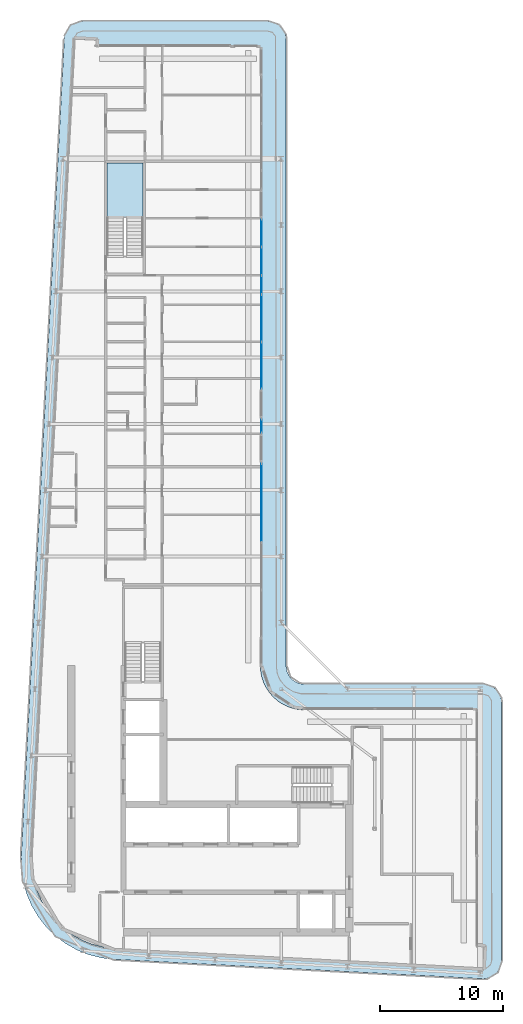
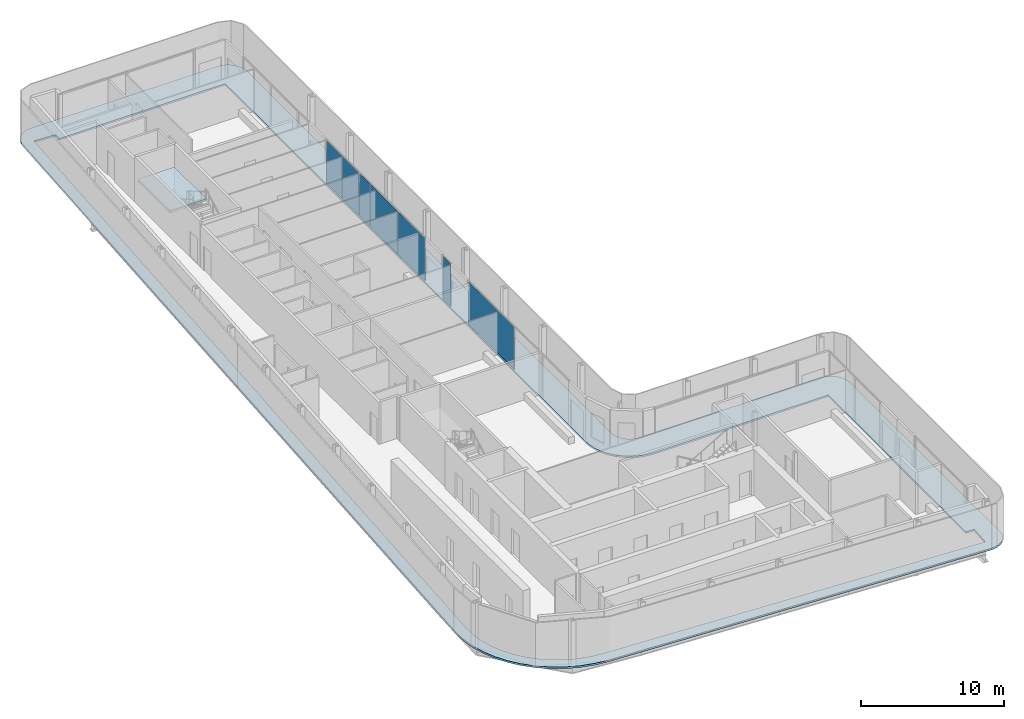
# One storey, part 10 of 21: 7 plates, 2 slabs, 5 elements without a shape of their own.
"""IFC4 building model written with IfcOpenShell, lengths in metres."""

from ifc_helpers import new_model, si_unit, direction, frame, origin, origin_2d, place, context, subcontext, project, spatial, polyline, rectangle, outline, extrude, material, layer, layer_set, type_object, element, aggregate, save


model = new_model("IFC4")

# Units and contexts
model_context = context("Model", 3, precision=1e-05, world=origin(), true_north=direction((0.0, 1.0)))
body_context = subcontext(model_context, "Body", "Model", "MODEL_VIEW")
ifc_project = project(units=[si_unit("LENGTHUNIT", "METRE"), si_unit("AREAUNIT", "SQUARE_METRE"), si_unit("VOLUMEUNIT", "CUBIC_METRE"), si_unit("PLANEANGLEUNIT", "RADIAN"), si_unit("MASSUNIT", "GRAM", prefix="KILO")], contexts=[model_context])

# Site, building, storey
site_placement = place(None, origin())
site = spatial("IfcSite", under=ifc_project, at=site_placement, CompositionType="ELEMENT")
building_placement = place(site_placement, origin())
building = spatial("IfcBuilding", under=site, at=building_placement, Name="Kheshtan School and Residences Tower", CompositionType="ELEMENT")
storey_placement = place(building_placement, frame((0.0, 0.0, 278.60009765625)))
storey = spatial("IfcBuildingStorey", under=building, at=storey_placement, Name="L65", CompositionType="ELEMENT", Elevation=278.60009765625)

# Curtain wall, plates
ifc_material_1 = material(Name="Clear low-e glass in thermally broken aluminium frame", Category="aluminium")
ifc_layer_1 = layer(ifc_material_1, 0.199951171875)
ifc_layer_set_1 = layer_set([ifc_layer_1], Name="Curtain wall CW-L")
curtain_wall_type = type_object("IfcCurtainWallType", Name="Curtain wall CW-L", PredefinedType="NOTDEFINED", material=ifc_layer_set_1)
curtain_wall_1_placement = place(storey_placement, origin())
curtain_wall_1 = element("IfcCurtainWall", 1, at=curtain_wall_1_placement, inside=storey, type_object=curtain_wall_type, Name="Curtain wall CWL8b", PredefinedType="NOTDEFINED")
ifc_layer_2 = layer(ifc_material_1, 0.031982421875)
ifc_layer_set_2 = layer_set([ifc_layer_2], Name="CW-L glass panel")
plate_type = type_object("IfcPlateType", Name="CW-L glass panel", PredefinedType="CURTAIN_PANEL", material=ifc_layer_set_2)
plate_1_placement = place(storey_placement, frame((46.0, 82.75048828125, 0.0), z_axis=(0.0, 0.0, 1.0), x_axis=(0.0, -1.0, 0.0)))
plate_1 = element("IfcPlate", 2, at=plate_1_placement, type_object=plate_type, Name="CWL8b panel 1.1", PredefinedType="CURTAIN_PANEL", context=body_context, shape_type="SweptSolid", body=[
    extrude(rectangle(XDim=2.19091796875, YDim=0.031982421875, at=origin_2d()), origin(), (0.0, 0.0, 1.0), 3.6298828125),
])
plate_2_placement = place(storey_placement, frame((46.0, 80.46240234375, 0.0), z_axis=(0.0, 0.0, 1.0), x_axis=(0.0, -1.0, 0.0)))
plate_2 = element("IfcPlate", 3, at=plate_2_placement, type_object=plate_type, Name="CWL8b panel 2.1", PredefinedType="CURTAIN_PANEL", context=body_context, shape_type="SweptSolid", body=[
    extrude(rectangle(XDim=2.264892578125, YDim=0.031982421875, at=origin_2d()), origin(), (0.0, 0.0, 1.0), 3.6298828125),
])
plate_3_placement = place(storey_placement, frame((46.0, 78.52099609375, 0.0), z_axis=(0.0, 0.0, 1.0), x_axis=(0.0, -1.0, 0.0)))
plate_3 = element("IfcPlate", 4, at=plate_3_placement, type_object=plate_type, Name="CWL8b panel 3.1", PredefinedType="CURTAIN_PANEL", context=body_context, shape_type="SweptSolid", body=[
    extrude(rectangle(XDim=1.498046875, YDim=0.031982421875, at=origin_2d()), origin(), (0.0, 0.0, 1.0), 3.6298828125),
])
aggregate(curtain_wall_1, [plate_1, plate_2, plate_3])

curtain_wall_2_placement = place(storey_placement, origin())
curtain_wall_2 = element("IfcCurtainWall", 5, at=curtain_wall_2_placement, inside=storey, type_object=curtain_wall_type, Name="Curtain wall CWL8", PredefinedType="NOTDEFINED")
plate_4_placement = place(storey_placement, frame((46.0, 75.803466796875, 0.0), z_axis=(0.0, 0.0, 1.0), x_axis=(0.0, -1.0, 0.0)))
plate_4 = element("IfcPlate", 6, at=plate_4_placement, type_object=plate_type, Name="CWL8 panel 1.1", PredefinedType="CURTAIN_PANEL", context=body_context, shape_type="SweptSolid", body=[
    extrude(rectangle(XDim=3.81689453125, YDim=0.031982421875, at=origin_2d()), origin(), (0.0, 0.0, 1.0), 3.6298828125),
])
plate_5_placement = place(storey_placement, frame((46.0, 71.95654296875, 0.0), z_axis=(0.0, 0.0, 1.0), x_axis=(0.0, -1.0, 0.0)))
plate_5 = element("IfcPlate", 7, at=plate_5_placement, type_object=plate_type, Name="CWL8 panel 2.1", PredefinedType="CURTAIN_PANEL", context=body_context, shape_type="SweptSolid", body=[
    extrude(rectangle(XDim=3.757080078125, YDim=0.031982421875, at=origin_2d()), origin(), (0.0, 0.0, 1.0), 3.6298828125),
])
aggregate(curtain_wall_2, [plate_4, plate_5])

# Curtain wall, plate
curtain_wall_3_placement = place(storey_placement, origin())
curtain_wall_3 = element("IfcCurtainWall", 8, at=curtain_wall_3_placement, inside=storey, type_object=curtain_wall_type, Name="Curtain wall CWL8g", PredefinedType="NOTDEFINED")
plate_6_placement = place(storey_placement, frame((46.0, 67.01806640625, 0.0), z_axis=(0.0, 0.0, 1.0), x_axis=(0.0, -1.0, 0.0)))
plate_6 = element("IfcPlate", 9, at=plate_6_placement, type_object=plate_type, Name="CWL8g panel 1.1", PredefinedType="CURTAIN_PANEL", context=body_context, shape_type="SweptSolid", body=[
    extrude(rectangle(XDim=1.080078125, YDim=0.031982421875, at=origin_2d()), origin(), (0.0, 0.0, 1.0), 3.6298828125),
])
aggregate(curtain_wall_3, [plate_6])

curtain_wall_4_placement = place(storey_placement, origin())
curtain_wall_4 = element("IfcCurtainWall", 10, at=curtain_wall_4_placement, inside=storey, type_object=curtain_wall_type, Name="Curtain wall CWL8h", PredefinedType="NOTDEFINED")
plate_7_placement = place(storey_placement, frame((46.0, 60.77099609375, 0.0), z_axis=(0.0, 0.0, 1.0), x_axis=(0.0, -1.0, 0.0)))
plate_7 = element("IfcPlate", 11, at=plate_7_placement, type_object=plate_type, Name="CWL8h panel 1.1", PredefinedType="CURTAIN_PANEL", context=body_context, shape_type="SweptSolid", body=[
    extrude(rectangle(XDim=6.3740234375, YDim=0.031982421875, at=origin_2d()), origin(), (0.0, 0.0, 1.0), 3.6298828125),
])
aggregate(curtain_wall_4, [plate_7])

# Slab
ifc_material_2 = material(Name="Concrete C40/50", Category="concrete")
ifc_layer_3 = layer(ifc_material_2, 0.14990234375)
ifc_layer_set_3 = layer_set([ifc_layer_3], Name="Loggia balcony slab 150 Concrete C40/50")
slab_type_1 = type_object("IfcSlabType", Name="Loggia balcony slab 150 Concrete C40/50", PredefinedType="FLOOR", material=ifc_layer_set_3)
slab_1_placement = place(storey_placement, frame((0.0, 0.0, -0.150146484375)))
element("IfcSlab", 12, at=slab_1_placement, inside=storey, type_object=slab_type_1, Name="Loggia balcony slab L65", PredefinedType="FLOOR", context=body_context, shape_type="SweptSolid", body=[
    extrude(outline(polyline([(28.455078125, 26.22607421875), (28.4541015625, 26.22607421875), (28.4541015625, 26.22705078125), (28.452880859375, 26.22705078125), (28.452880859375, 26.22802734375), (28.451904296875, 26.22802734375), (27.81494140625, 27.0390625), (27.281005859375, 27.93798828125), (26.867919921875, 28.89990234375), (26.583984375, 29.89599609375), (26.583984375, 29.906982421875), (26.43408203125, 30.943115234375), (26.419921875, 31.989013671875), (29.925048828125, 98.5791015625), (29.930908203125, 98.626953125), (29.930908203125, 98.6279296875), (29.929931640625, 98.6279296875), (29.929931640625, 98.62890625), (29.928955078125, 98.62890625), (29.928955078125, 98.6298828125), (29.927978515625, 98.6298828125), (29.927978515625, 98.631103515625), (29.927001953125, 98.631103515625), (29.927001953125, 98.632080078125), (29.927001953125, 98.633056640625), (29.945068359375, 98.781005859375), (29.945068359375, 98.783935546875), (29.945068359375, 98.784912109375), (29.946044921875, 98.784912109375), (29.946044921875, 98.785888671875), (29.947021484375, 98.785888671875), (29.947021484375, 98.787109375), (29.947998046875, 98.787109375), (29.948974609375, 98.787109375), (29.948974609375, 98.7880859375), (29.949951171875, 98.7880859375), (29.949951171875, 98.7890625), (29.949951171875, 98.794921875), (30.0029296875, 98.98388671875), (30.083984375, 99.175048828125), (30.18896484375, 99.35302734375), (30.306884765625, 99.5029296875), (30.30810546875, 99.5029296875), (30.30810546875, 99.50390625), (30.30908203125, 99.50390625), (30.30908203125, 99.5048828125), (30.31005859375, 99.5048828125), (30.31005859375, 99.506103515625), (30.31103515625, 99.506103515625), (30.31103515625, 99.507080078125), (30.31201171875, 99.507080078125), (30.31201171875, 99.508056640625), (30.31298828125, 99.508056640625), (30.31298828125, 99.509033203125), (30.31396484375, 99.509033203125), (30.31396484375, 99.510009765625), (30.31494140625, 99.510009765625), (30.31494140625, 99.510986328125), (30.31591796875, 99.510986328125), (30.31591796875, 99.511962890625), (30.31689453125, 99.511962890625), (30.31689453125, 99.512939453125), (30.318115234375, 99.512939453125), (30.323974609375, 99.512939453125), (30.324951171875, 99.512939453125), (30.324951171875, 99.513916015625), (30.468017578125, 99.656982421875), (30.468994140625, 99.656982421875), (30.468994140625, 99.657958984375), (30.469970703125, 99.657958984375), (30.469970703125, 99.658935546875), (30.470947265625, 99.658935546875), (30.470947265625, 99.659912109375), (30.471923828125, 99.659912109375), (30.471923828125, 99.660888671875), (30.472900390625, 99.660888671875), (30.472900390625, 99.662109375), (30.47412109375, 99.662109375), (30.47412109375, 99.6630859375), (30.47509765625, 99.6630859375), (30.47509765625, 99.6640625), (30.47607421875, 99.6640625), (30.47607421875, 99.6650390625), (30.47705078125, 99.6650390625), (30.47705078125, 99.666015625), (30.47802734375, 99.666015625), (30.47802734375, 99.6669921875), (30.47900390625, 99.6669921875), (30.47900390625, 99.66796875), (30.635986328125, 99.777099609375), (30.820068359375, 99.873046875), (31.0029296875, 99.943115234375), (31.013916015625, 99.943115234375), (31.217041015625, 99.986083984375), (31.423095703125, 100.0), (46.5, 100.0), (46.696044921875, 99.987060546875), (46.887939453125, 99.948974609375), (46.89892578125, 99.948974609375), (47.073974609375, 99.885986328125), (47.242919921875, 99.801025390625), (47.243896484375, 99.801025390625), (47.2470703125, 99.801025390625), (47.248046875, 99.801025390625), (47.248046875, 99.802001953125), (47.2490234375, 99.802001953125), (47.2490234375, 99.802978515625), (47.25, 99.802978515625), (47.2529296875, 99.802978515625), (47.25390625, 99.802978515625), (47.25390625, 99.802001953125), (47.2548828125, 99.802001953125), (47.2548828125, 99.801025390625), (47.256103515625, 99.801025390625), (47.256103515625, 99.800048828125), (47.257080078125, 99.800048828125), (47.257080078125, 99.799072265625), (47.258056640625, 99.799072265625), (47.258056640625, 99.798095703125), (47.412109375, 99.696044921875), (47.4130859375, 99.696044921875), (47.4130859375, 99.695068359375), (47.4140625, 99.695068359375), (47.4140625, 99.694091796875), (47.4140625, 99.68994140625), (47.4140625, 99.68896484375), (47.4150390625, 99.68896484375), (47.4150390625, 99.68798828125), (47.416015625, 99.68798828125), (47.416015625, 99.68701171875), (47.4169921875, 99.68701171875), (47.4169921875, 99.68603515625), (47.551025390625, 99.572021484375), (47.551025390625, 99.571044921875), (47.552001953125, 99.571044921875), (47.552001953125, 99.570068359375), (47.552978515625, 99.570068359375), (47.552978515625, 99.569091796875), (47.553955078125, 99.569091796875), (47.553955078125, 99.568115234375), (47.554931640625, 99.568115234375), (47.554931640625, 99.56689453125), (47.555908203125, 99.56689453125), (47.555908203125, 99.56591796875), (47.556884765625, 99.56591796875), (47.556884765625, 99.56494140625), (47.55810546875, 99.56494140625), (47.55810546875, 99.56396484375), (47.55908203125, 99.56396484375), (47.55908203125, 99.56298828125), (47.56005859375, 99.56298828125), (47.56005859375, 99.56201171875), (47.56103515625, 99.56201171875), (47.56201171875, 99.56103515625), (47.56201171875, 99.56005859375), (47.56298828125, 99.56005859375), (47.56298828125, 99.55908203125), (47.56396484375, 99.55908203125), (47.56396484375, 99.55810546875), (47.56494140625, 99.55810546875), (47.56494140625, 99.556884765625), (47.56591796875, 99.556884765625), (47.56591796875, 99.555908203125), (47.56689453125, 99.555908203125), (47.56689453125, 99.554931640625), (47.568115234375, 99.554931640625), (47.568115234375, 99.553955078125), (47.569091796875, 99.553955078125), (47.569091796875, 99.552978515625), (47.570068359375, 99.552978515625), (47.570068359375, 99.552001953125), (47.571044921875, 99.552001953125), (47.571044921875, 99.551025390625), (47.572021484375, 99.551025390625), (47.68505859375, 99.41796875), (47.68603515625, 99.41796875), (47.68603515625, 99.4169921875), (47.68701171875, 99.4169921875), (47.68701171875, 99.416015625), (47.68798828125, 99.416015625), (47.68798828125, 99.4150390625), (47.68896484375, 99.4150390625), (47.68896484375, 99.4140625), (47.68994140625, 99.4140625), (47.694091796875, 99.4140625), (47.695068359375, 99.4140625), (47.695068359375, 99.4130859375), (47.696044921875, 99.4130859375), (47.696044921875, 99.412109375), (47.797119140625, 99.259033203125), (47.798095703125, 99.259033203125), (47.798095703125, 99.258056640625), (47.799072265625, 99.258056640625), (47.799072265625, 99.257080078125), (47.800048828125, 99.257080078125), (47.800048828125, 99.256103515625), (47.801025390625, 99.256103515625), (47.801025390625, 99.2548828125), (47.802001953125, 99.2548828125), (47.802001953125, 99.25390625), (47.802978515625, 99.25390625), (47.802978515625, 99.2529296875), (47.802978515625, 99.25), (47.802978515625, 99.2490234375), (47.802001953125, 99.2490234375), (47.802001953125, 99.248046875), (47.801025390625, 99.248046875), (47.801025390625, 99.2470703125), (47.801025390625, 99.242919921875), (47.801025390625, 99.241943359375), (47.885986328125, 99.073974609375), (47.948974609375, 98.89892578125), (47.948974609375, 98.887939453125), (47.987060546875, 98.696044921875), (48.0, 98.5), (48.0, 47.5), (48.012939453125, 47.303955078125), (48.051025390625, 47.113037109375), (48.051025390625, 47.10302734375), (48.051025390625, 47.10205078125), (48.114013671875, 46.926025390625), (48.200927734375, 46.75), (48.31005859375, 46.5869140625), (48.427978515625, 46.447998046875), (48.428955078125, 46.447998046875), (48.428955078125, 46.447021484375), (48.429931640625, 46.447021484375), (48.429931640625, 46.446044921875), (48.430908203125, 46.446044921875), (48.430908203125, 46.445068359375), (48.431884765625, 46.445068359375), (48.431884765625, 46.444091796875), (48.43310546875, 46.444091796875), (48.43310546875, 46.443115234375), (48.43408203125, 46.443115234375), (48.43408203125, 46.44189453125), (48.43505859375, 46.44189453125), (48.43505859375, 46.44091796875), (48.43603515625, 46.44091796875), (48.43603515625, 46.43994140625), (48.43701171875, 46.43994140625), (48.43701171875, 46.43896484375), (48.43798828125, 46.43896484375), (48.43896484375, 46.43798828125), (48.43896484375, 46.43701171875), (48.43994140625, 46.43701171875), (48.43994140625, 46.43603515625), (48.44091796875, 46.43603515625), (48.44091796875, 46.43505859375), (48.44189453125, 46.43505859375), (48.44189453125, 46.43408203125), (48.443115234375, 46.43408203125), (48.443115234375, 46.43310546875), (48.444091796875, 46.43310546875), (48.444091796875, 46.431884765625), (48.445068359375, 46.431884765625), (48.445068359375, 46.430908203125), (48.446044921875, 46.430908203125), (48.446044921875, 46.429931640625), (48.447021484375, 46.429931640625), (48.447021484375, 46.428955078125), (48.447998046875, 46.428955078125), (48.447998046875, 46.427978515625), (48.5869140625, 46.31005859375), (48.75, 46.200927734375), (48.926025390625, 46.114013671875), (49.10205078125, 46.051025390625), (49.10302734375, 46.051025390625), (49.113037109375, 46.051025390625), (49.303955078125, 46.012939453125), (49.5, 46.0), (64.050048828125, 46.0), (64.24609375, 45.987060546875), (64.43798828125, 45.948974609375), (64.448974609375, 45.948974609375), (64.6240234375, 45.885986328125), (64.791015625, 45.801025390625), (64.7919921875, 45.801025390625), (64.797119140625, 45.801025390625), (64.798095703125, 45.801025390625), (64.798095703125, 45.802001953125), (64.799072265625, 45.802001953125), (64.799072265625, 45.802978515625), (64.800048828125, 45.802978515625), (64.802978515625, 45.802978515625), (64.803955078125, 45.802978515625), (64.803955078125, 45.802001953125), (64.804931640625, 45.802001953125), (64.804931640625, 45.801025390625), (64.805908203125, 45.801025390625), (64.805908203125, 45.800048828125), (64.806884765625, 45.800048828125), (64.806884765625, 45.799072265625), (64.80810546875, 45.799072265625), (64.80810546875, 45.798095703125), (64.80908203125, 45.798095703125), (64.80908203125, 45.797119140625), (64.81005859375, 45.797119140625), (64.81005859375, 45.7958984375), (64.9619140625, 45.696044921875), (64.962890625, 45.696044921875), (64.962890625, 45.695068359375), (64.964111328125, 45.695068359375), (64.964111328125, 45.694091796875), (64.964111328125, 45.68994140625), (64.964111328125, 45.68896484375), (64.965087890625, 45.68896484375), (64.965087890625, 45.68798828125), (64.966064453125, 45.68798828125), (64.966064453125, 45.68701171875), (64.967041015625, 45.68701171875), (64.967041015625, 45.68603515625), (64.968017578125, 45.68603515625), (64.968017578125, 45.68505859375), (64.968994140625, 45.68505859375), (64.968994140625, 45.68408203125), (65.10107421875, 45.572021484375), (65.10107421875, 45.571044921875), (65.10205078125, 45.571044921875), (65.10205078125, 45.570068359375), (65.10302734375, 45.570068359375), (65.10302734375, 45.569091796875), (65.10400390625, 45.569091796875), (65.10400390625, 45.568115234375), (65.10498046875, 45.568115234375), (65.10498046875, 45.56689453125), (65.10595703125, 45.56689453125), (65.10595703125, 45.56591796875), (65.10693359375, 45.56591796875), (65.10693359375, 45.56494140625), (65.10791015625, 45.56494140625), (65.10791015625, 45.56396484375), (65.10888671875, 45.56396484375), (65.10888671875, 45.56298828125), (65.110107421875, 45.56298828125), (65.110107421875, 45.56201171875), (65.111083984375, 45.56201171875), (65.112060546875, 45.56103515625), (65.112060546875, 45.56005859375), (65.113037109375, 45.56005859375), (65.113037109375, 45.55908203125), (65.114013671875, 45.55908203125), (65.114013671875, 45.55810546875), (65.114990234375, 45.55810546875), (65.114990234375, 45.556884765625), (65.115966796875, 45.556884765625), (65.115966796875, 45.555908203125), (65.116943359375, 45.555908203125), (65.116943359375, 45.554931640625), (65.117919921875, 45.554931640625), (65.117919921875, 45.553955078125), (65.118896484375, 45.553955078125), (65.118896484375, 45.552978515625), (65.1201171875, 45.552978515625), (65.1201171875, 45.552001953125), (65.12109375, 45.552001953125), (65.12109375, 45.551025390625), (65.1220703125, 45.551025390625), (65.22802734375, 45.425048828125), (65.22900390625, 45.425048828125), (65.22900390625, 45.424072265625), (65.22998046875, 45.424072265625), (65.22998046875, 45.423095703125), (65.23095703125, 45.423095703125), (65.23095703125, 45.422119140625), (65.23193359375, 45.422119140625), (65.23193359375, 45.4208984375), (65.23291015625, 45.4208984375), (65.23291015625, 45.419921875), (65.23388671875, 45.419921875), (65.23388671875, 45.4189453125), (65.235107421875, 45.4189453125), (65.235107421875, 45.41796875), (65.236083984375, 45.41796875), (65.236083984375, 45.4169921875), (65.237060546875, 45.4169921875), (65.237060546875, 45.416015625), (65.238037109375, 45.416015625), (65.238037109375, 45.4150390625), (65.239013671875, 45.4150390625), (65.239013671875, 45.4140625), (65.239990234375, 45.4140625), (65.243896484375, 45.4140625), (65.2451171875, 45.4140625), (65.2451171875, 45.4130859375), (65.24609375, 45.4130859375), (65.24609375, 45.412109375), (65.340087890625, 45.26611328125), (65.341064453125, 45.26611328125), (65.341064453125, 45.264892578125), (65.342041015625, 45.264892578125), (65.342041015625, 45.263916015625), (65.343017578125, 45.263916015625), (65.343017578125, 45.262939453125), (65.343994140625, 45.262939453125), (65.343994140625, 45.261962890625), (65.344970703125, 45.261962890625), (65.344970703125, 45.260986328125), (65.345947265625, 45.260986328125), (65.345947265625, 45.260009765625), (65.346923828125, 45.260009765625), (65.346923828125, 45.259033203125), (65.347900390625, 45.259033203125), (65.347900390625, 45.258056640625), (65.34912109375, 45.258056640625), (65.34912109375, 45.257080078125), (65.35009765625, 45.257080078125), (65.35009765625, 45.256103515625), (65.35107421875, 45.256103515625), (65.35107421875, 45.2548828125), (65.35205078125, 45.2548828125), (65.35205078125, 45.25390625), (65.35302734375, 45.25390625), (65.35302734375, 45.2529296875), (65.35302734375, 45.25), (65.35302734375, 45.2490234375), (65.35205078125, 45.2490234375), (65.35205078125, 45.248046875), (65.35107421875, 45.248046875), (65.35107421875, 45.2470703125), (65.35107421875, 45.237060546875), (65.35107421875, 45.236083984375), (65.43603515625, 45.073974609375), (65.4990234375, 44.89892578125), (65.4990234375, 44.887939453125), (65.537109375, 44.696044921875), (65.550048828125, 44.5), (65.550048828125, 23.4990234375), (65.535888671875, 23.297119140625), (65.4951171875, 23.09912109375), (65.4951171875, 23.087890625), (65.427978515625, 22.906982421875), (65.3359375, 22.72705078125), (65.23095703125, 22.571044921875), (65.22998046875, 22.571044921875), (65.22998046875, 22.570068359375), (65.22900390625, 22.570068359375), (65.22900390625, 22.569091796875), (65.22802734375, 22.569091796875), (65.22802734375, 22.568115234375), (65.22705078125, 22.568115234375), (65.22705078125, 22.56689453125), (65.22607421875, 22.56689453125), (65.22607421875, 22.56591796875), (65.22509765625, 22.56591796875), (65.22509765625, 22.56494140625), (65.22412109375, 22.56494140625), (65.22412109375, 22.56396484375), (65.222900390625, 22.56396484375), (65.222900390625, 22.56298828125), (65.221923828125, 22.56298828125), (65.221923828125, 22.56201171875), (65.220947265625, 22.56201171875), (65.220947265625, 22.56103515625), (65.220947265625, 22.55908203125), (65.220947265625, 22.55810546875), (65.221923828125, 22.55810546875), (65.221923828125, 22.556884765625), (65.221923828125, 22.554931640625), (65.221923828125, 22.553955078125), (65.220947265625, 22.553955078125), (65.220947265625, 22.552978515625), (65.089111328125, 22.416015625), (65.087890625, 22.416015625), (65.087890625, 22.4150390625), (65.087890625, 22.410888671875), (65.087890625, 22.409912109375), (65.0869140625, 22.409912109375), (65.0869140625, 22.408935546875), (65.0869140625, 22.407958984375), (65.0859375, 22.407958984375), (65.0859375, 22.406982421875), (65.0849609375, 22.406982421875), (65.0849609375, 22.406005859375), (65.083984375, 22.406005859375), (65.0830078125, 22.406005859375), (65.0830078125, 22.405029296875), (65.08203125, 22.405029296875), (65.08203125, 22.404052734375), (65.0810546875, 22.404052734375), (65.0810546875, 22.403076171875), (65.080078125, 22.403076171875), (65.080078125, 22.402099609375), (65.0791015625, 22.402099609375), (65.0791015625, 22.40087890625), (65.077880859375, 22.40087890625), (65.077880859375, 22.39990234375), (65.076904296875, 22.39990234375), (65.076904296875, 22.39892578125), (65.075927734375, 22.39892578125), (65.075927734375, 22.39794921875), (65.074951171875, 22.39794921875), (65.074951171875, 22.39697265625), (65.073974609375, 22.39697265625), (65.073974609375, 22.39599609375), (65.072998046875, 22.39599609375), (65.072998046875, 22.39501953125), (65.072021484375, 22.39501953125), (65.072021484375, 22.39404296875), (64.93310546875, 22.281982421875), (64.931884765625, 22.281982421875), (64.931884765625, 22.281005859375), (64.930908203125, 22.281005859375), (64.928955078125, 22.281005859375), (64.927978515625, 22.281005859375), (64.927978515625, 22.281982421875), (64.927001953125, 22.281982421875), (64.926025390625, 22.281982421875), (64.925048828125, 22.281982421875), (64.75390625, 22.175048828125), (64.569091796875, 22.092041015625), (64.385009765625, 22.034912109375), (64.3740234375, 22.034912109375), (64.174072265625, 22.0048828125), (63.970947265625, 22.001953125), (33.989013671875, 23.580078125), (33.94189453125, 23.5859375), (33.94091796875, 23.5859375), (33.93994140625, 23.5859375), (33.93994140625, 23.5849609375), (33.93896484375, 23.5849609375), (33.93896484375, 23.583984375), (33.93798828125, 23.583984375), (33.93798828125, 23.5830078125), (33.93701171875, 23.5830078125), (33.93701171875, 23.58203125), (33.93603515625, 23.58203125), (33.93505859375, 23.58203125), (32.952880859375, 23.697998046875), (32.949951171875, 23.697998046875), (32.948974609375, 23.697998046875), (32.948974609375, 23.698974609375), (32.947998046875, 23.698974609375), (32.947998046875, 23.699951171875), (32.947021484375, 23.699951171875), (32.947021484375, 23.700927734375), (32.947021484375, 23.702880859375), (32.947021484375, 23.7041015625), (32.946044921875, 23.7041015625), (32.946044921875, 23.705078125), (32.945068359375, 23.705078125), (32.944091796875, 23.705078125), (31.93603515625, 23.9609375), (31.925048828125, 23.9609375), (30.964111328125, 24.34912109375), (30.051025390625, 24.860107421875), (29.222900390625, 25.47509765625), (29.222900390625, 25.47607421875), (29.221923828125, 25.47607421875), (29.221923828125, 25.47705078125), (29.220947265625, 25.47705078125), (29.220947265625, 25.47802734375), (29.219970703125, 25.47802734375), (29.219970703125, 25.47900390625), (29.218994140625, 25.47900390625), (29.218994140625, 25.47998046875), (29.218017578125, 25.47998046875), (29.218017578125, 25.48095703125), (29.217041015625, 25.48095703125), (29.217041015625, 25.48193359375), (29.216064453125, 25.48193359375), (29.216064453125, 25.48291015625), (29.215087890625, 25.48291015625), (29.215087890625, 25.48388671875), (29.214111328125, 25.48388671875), (29.214111328125, 25.485107421875), (29.212890625, 25.485107421875), (29.212890625, 25.486083984375), (29.2119140625, 25.486083984375), (28.470947265625, 26.217041015625), (28.470947265625, 26.218017578125), (28.469970703125, 26.218017578125), (28.462890625, 26.218017578125), (28.4619140625, 26.218017578125), (28.4619140625, 26.218994140625), (28.4609375, 26.218994140625), (28.4609375, 26.219970703125), (28.4599609375, 26.219970703125), (28.4599609375, 26.220947265625), (28.458984375, 26.220947265625), (28.458984375, 26.221923828125), (28.4580078125, 26.221923828125), (28.4580078125, 26.222900390625), (28.45703125, 26.222900390625), (28.45703125, 26.22412109375), (28.4560546875, 26.22412109375), (28.4560546875, 26.22509765625), (28.455078125, 26.22509765625), (28.455078125, 26.22607421875)]), holes=[polyline([(29.125, 26.8291015625), (29.125, 26.827880859375), (29.1259765625, 26.827880859375), (29.1259765625, 26.826904296875), (29.126953125, 26.826904296875), (29.126953125, 26.825927734375), (29.1279296875, 26.825927734375), (29.1279296875, 26.824951171875), (29.12890625, 26.824951171875), (29.12890625, 26.823974609375), (29.1298828125, 26.823974609375), (29.1298828125, 26.822998046875), (29.131103515625, 26.822998046875), (29.131103515625, 26.822021484375), (29.132080078125, 26.822021484375), (29.132080078125, 26.821044921875), (29.133056640625, 26.821044921875), (29.133056640625, 26.820068359375), (29.134033203125, 26.820068359375), (29.7900390625, 26.173095703125), (29.7900390625, 26.172119140625), (29.791015625, 26.172119140625), (29.798095703125, 26.172119140625), (29.799072265625, 26.172119140625), (29.799072265625, 26.1708984375), (29.800048828125, 26.1708984375), (29.800048828125, 26.169921875), (29.801025390625, 26.169921875), (29.801025390625, 26.1689453125), (29.802001953125, 26.1689453125), (29.802001953125, 26.16796875), (29.802978515625, 26.16796875), (29.802978515625, 26.1669921875), (29.803955078125, 26.1669921875), (29.803955078125, 26.166015625), (29.804931640625, 26.166015625), (29.804931640625, 26.1650390625), (29.805908203125, 26.1650390625), (29.805908203125, 26.1640625), (29.806884765625, 26.1640625), (29.806884765625, 26.1630859375), (29.80810546875, 26.1630859375), (29.80810546875, 26.162109375), (30.541015625, 25.616943359375), (31.35205078125, 25.1630859375), (32.205078125, 24.819091796875), (32.2060546875, 24.819091796875), (32.216064453125, 24.819091796875), (33.114990234375, 24.590087890625), (34.06591796875, 24.47705078125), (63.988037109375, 22.902099609375), (64.014892578125, 22.903076171875), (64.01611328125, 22.903076171875), (64.01708984375, 22.903076171875), (64.01708984375, 22.904052734375), (64.01806640625, 22.904052734375), (64.01806640625, 22.905029296875), (64.01806640625, 22.906005859375), (64.10791015625, 24.594970703125), (64.10791015625, 24.595947265625), (64.10791015625, 24.596923828125), (64.10693359375, 24.596923828125), (64.10693359375, 24.597900390625), (64.10595703125, 24.597900390625), (64.10498046875, 24.597900390625), (63.450927734375, 24.633056640625), (63.449951171875, 24.633056640625), (63.449951171875, 24.634033203125), (63.449951171875, 43.89794921875), (63.449951171875, 43.89892578125), (63.448974609375, 43.89892578125), (63.448974609375, 43.89990234375), (63.447998046875, 43.89990234375), (49.429931640625, 43.89990234375), (49.030029296875, 43.927001953125), (48.569091796875, 44.01806640625), (48.55810546875, 44.01806640625), (48.1201171875, 44.169921875), (47.697021484375, 44.37890625), (47.30810546875, 44.638916015625), (46.9609375, 44.93994140625), (46.9609375, 44.94091796875), (46.9599609375, 44.94091796875), (46.9599609375, 44.94189453125), (46.958984375, 44.94189453125), (46.958984375, 44.943115234375), (46.9580078125, 44.943115234375), (46.9580078125, 44.944091796875), (46.95703125, 44.944091796875), (46.95703125, 44.945068359375), (46.9560546875, 44.945068359375), (46.9560546875, 44.946044921875), (46.955078125, 44.946044921875), (46.955078125, 44.947021484375), (46.9541015625, 44.947021484375), (46.9541015625, 44.947998046875), (46.952880859375, 44.947998046875), (46.952880859375, 44.948974609375), (46.951904296875, 44.948974609375), (46.951904296875, 44.949951171875), (46.951904296875, 44.950927734375), (46.950927734375, 44.950927734375), (46.950927734375, 44.951904296875), (46.949951171875, 44.951904296875), (46.948974609375, 44.951904296875), (46.948974609375, 44.952880859375), (46.947998046875, 44.952880859375), (46.947998046875, 44.9541015625), (46.947021484375, 44.9541015625), (46.947021484375, 44.955078125), (46.946044921875, 44.955078125), (46.946044921875, 44.9560546875), (46.945068359375, 44.9560546875), (46.945068359375, 44.95703125), (46.944091796875, 44.95703125), (46.944091796875, 44.9580078125), (46.943115234375, 44.9580078125), (46.943115234375, 44.958984375), (46.94189453125, 44.958984375), (46.94189453125, 44.9599609375), (46.94091796875, 44.9599609375), (46.94091796875, 44.9609375), (46.93994140625, 44.9609375), (46.638916015625, 45.30810546875), (46.37890625, 45.697021484375), (46.169921875, 46.1201171875), (46.01806640625, 46.55810546875), (46.01806640625, 46.569091796875), (45.927001953125, 47.030029296875), (45.89990234375, 47.429931640625), (45.89990234375, 97.89794921875), (45.89990234375, 97.89892578125), (45.89892578125, 97.89892578125), (45.89892578125, 97.89990234375), (45.89794921875, 97.89990234375), (32.492919921875, 97.89990234375), (32.491943359375, 97.89990234375), (32.52099609375, 98.43896484375), (32.52099609375, 98.43994140625), (32.52099609375, 98.44091796875), (32.52001953125, 98.44091796875), (32.52001953125, 98.44189453125), (32.51904296875, 98.44189453125), (32.51806640625, 98.44189453125), (30.8291015625, 98.531982421875), (30.827880859375, 98.531982421875), (30.826904296875, 98.531982421875), (30.826904296875, 98.531005859375), (30.825927734375, 98.531005859375), (30.825927734375, 98.530029296875), (30.825927734375, 98.529052734375), (30.822021484375, 98.5009765625), (27.320068359375, 31.970947265625), (27.3330078125, 31.013916015625), (27.466064453125, 30.093994140625), (27.466064453125, 30.083984375), (27.466064453125, 30.0830078125), (27.718017578125, 29.200927734375), (28.0849609375, 28.345947265625), (28.55908203125, 27.550048828125), (29.123046875, 26.830078125), (29.1240234375, 26.830078125), (29.1240234375, 26.8291015625), (29.125, 26.8291015625)])]), origin(), (0.0, 0.0, 1.0), 0.150146484375),
])

# Stair, slab
stair_type = type_object("IfcStairType", Name="Exit stair, half-turn", PredefinedType="HALF_TURN_STAIR", material=ifc_material_2)
stair_placement = place(storey_placement, origin())
stair = element("IfcStair", 13, at=stair_placement, inside=storey, type_object=stair_type, Name="L65 Protected Exit Stair ST3", PredefinedType="HALF_TURN_STAIR")
ifc_layer_4 = layer(ifc_material_2, 0.199951171875)
ifc_layer_set_4 = layer_set([ifc_layer_4], Name="Stair landing 200 Concrete C40/50")
slab_type_2 = type_object("IfcSlabType", Name="Stair landing 200 Concrete C40/50", PredefinedType="LANDING", material=ifc_layer_set_4)
slab_2_placement = place(storey_placement, frame((0.0, 0.0, 1.75)))
slab_2 = element("IfcSlab", 14, at=slab_2_placement, type_object=slab_type_2, Name="ST3 landing 1", PredefinedType="LANDING", context=body_context, shape_type="SweptSolid", body=[
    extrude(outline(polyline([(36.35009765625, 83.97998046875), (36.35009765625, 88.4599609375), (33.39990234375, 88.4599609375), (33.39990234375, 83.97998046875), (36.35009765625, 83.97998046875)])), origin(), (0.0, 0.0, 1.0), 0.199951171875),
])
aggregate(stair, [slab_2])

save(model, "model.ifc")
